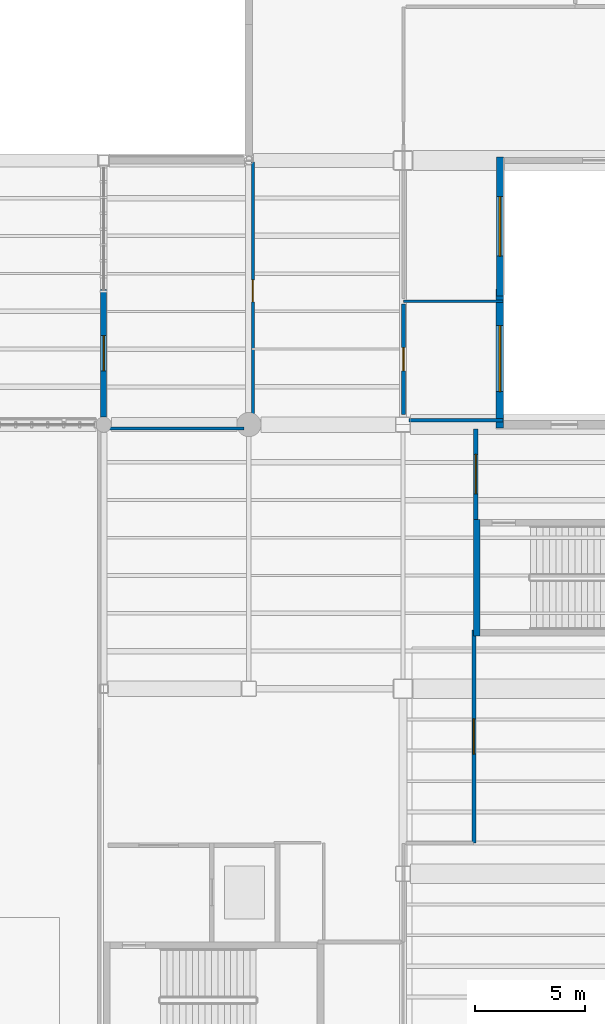
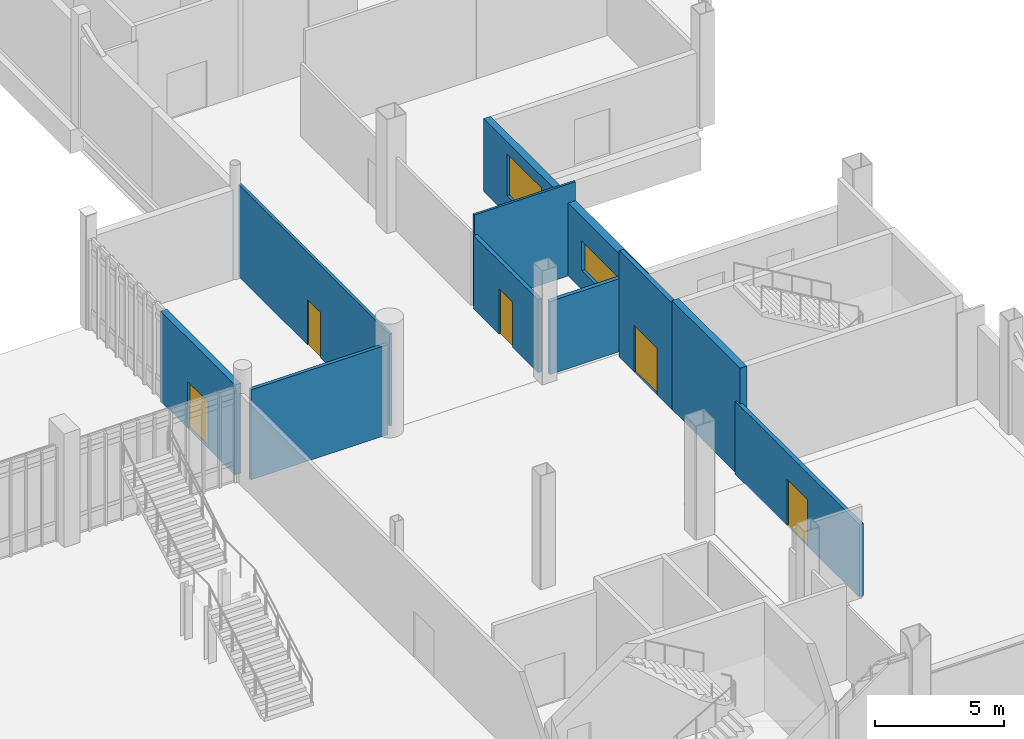
# One storey, part 88 of 111: 11 walls, 5 doors, 2 windows, 7 openings.
"""IFC4 building model written with IfcOpenShell, lengths in metres."""

from ifc_helpers import new_model, si_unit, direction, frame, frame_2d, origin, place, context, subcontext, project, spatial, rectangle, extrude, material, layer, layer_set, type_object, element, fill, save


model = new_model("IFC4")

# Units and contexts
model_context = context("Model", 3, precision=1e-05, world=origin(), true_north=direction((0.0, 1.0)))
body_context = subcontext(model_context, "Body", "Model", "MODEL_VIEW")
ifc_project = project(units=[si_unit("LENGTHUNIT", "METRE"), si_unit("AREAUNIT", "SQUARE_METRE"), si_unit("VOLUMEUNIT", "CUBIC_METRE"), si_unit("PLANEANGLEUNIT", "RADIAN"), si_unit("MASSUNIT", "GRAM", prefix="KILO")], contexts=[model_context])

# Site, building, storey
site_placement = place(None, origin())
site = spatial("IfcSite", under=ifc_project, at=site_placement, CompositionType="ELEMENT")
building_placement = place(site_placement, origin())
building = spatial("IfcBuilding", under=site, at=building_placement, Name="Larkvane Passage Sports Hall", CompositionType="ELEMENT")
storey_placement = place(building_placement, origin())
storey = spatial("IfcBuildingStorey", under=building, at=storey_placement, Name="L00", CompositionType="ELEMENT", Elevation=0.0)

# Wall
ifc_material_1 = material(Name="Concrete C50/60", Category="concrete")
ifc_layer_1 = layer(ifc_material_1, 0.300048828125)
ifc_layer_set_1 = layer_set([ifc_layer_1], Name="Concrete C50/60")
wall_type_1 = type_object("IfcWallType", Name="WL-CORE-300", PredefinedType="SHEAR", material=ifc_layer_set_1)
wall_1_placement = place(storey_placement, frame((134.949951171875, 42.0, 0.0), z_axis=(0.0, 0.0, 1.0), x_axis=(0.0, 1.0, 0.0)))
element("IfcWall", 1, at=wall_1_placement, inside=storey, type_object=wall_type_1, Name="Core shear wall WAL-CORE-C7-L00-W", PredefinedType="SHEAR", context=body_context, shape_type="SweptSolid", body=[
    extrude(rectangle(XDim=5.300048828125, YDim=0.300048828125, at=frame_2d((2.64990234375, 0.0))), origin(), (0.0, 0.0, 1.0), 5.169921875),
])

# Wall, opening, door
ifc_material_2 = material(Name="Concrete C40/50", Category="concrete")
ifc_layer_2 = layer(ifc_material_2, 0.27490234375)
ifc_layer_set_2 = layer_set([ifc_layer_2], Name="Concrete C40/50")
wall_type_2 = type_object("IfcWallType", Name="WL-EXT-275", PredefinedType="SOLIDWALL", material=ifc_layer_set_2)
wall_2_placement = place(storey_placement, frame((118.0, 51.946044921875, 0.0), z_axis=(0.0, 0.0, 1.0), x_axis=(0.0, 1.0, 0.0)))
wall_2 = element("IfcWall", 2, at=wall_2_placement, inside=storey, type_object=wall_type_2, Name="Exterior wall WAL-EXT-L00-031", PredefinedType="SOLIDWALL", context=body_context, shape_type="SweptSolid", body=[
    extrude(rectangle(XDim=5.785888671875, YDim=0.27490234375, at=frame_2d((2.89306640625, 0.0))), origin(), (0.0, 0.0, 1.0), 4.26806640625),
])
opening_1_placement = place(wall_2_placement, frame((2.093017578125, 0.0, 0.0)))
opening_1 = element("IfcOpeningElement", 3, at=opening_1_placement, cuts=wall_2, Name="Opening DE-04", PredefinedType="OPENING", context=body_context, shape_type="SweptSolid", body=[
    extrude(rectangle(XDim=1.60009765625, YDim=2.199951171875, at=frame_2d((0.800048828125, 1.10009765625))), frame((0.0, 0.1474609375, 0.0), z_axis=(0.0, -1.0, 0.0), x_axis=(1.0, 0.0, 0.0)), (0.0, 0.0, 1.0), 0.294921875),
])
ifc_material_3 = material(Name="Galvanised steel S355JR fire exit leaf", Category="steel")
door_type_1 = type_object("IfcDoorType", Name="DR-EXIT-1600", OperationType="DOUBLE_DOOR_SINGLE_SWING", PredefinedType="DOOR", material=ifc_material_3)
door_1_placement = place(opening_1_placement, origin())
door_1 = element("IfcDoor", 4, at=door_1_placement, inside=storey, type_object=door_type_1, Name="Exterior door L00-016", OperationType="DOUBLE_DOOR_SINGLE_SWING", OverallHeight=2.199951171875, OverallWidth=1.60009765625, PredefinedType="DOOR", context=body_context, shape_type="SweptSolid", body=[
    extrude(rectangle(XDim=1.60009765625, YDim=2.199951171875, at=frame_2d((0.800048828125, 1.10009765625))), frame((0.0, 0.02490234375, 0.0), z_axis=(0.0, -1.0, 0.0), x_axis=(1.0, 0.0, 0.0)), (0.0, 0.0, 1.0), 0.050048828125),
])
fill(opening_1, door_1)

# Wall, opening, window
ifc_material_4 = material(Name="Precast concrete C45/55", Category="concrete")
ifc_layer_3 = layer(ifc_material_4, 0.31005859375)
ifc_layer_set_3 = layer_set([ifc_layer_3], Name="Precast concrete C45/55")
wall_type_3 = type_object("IfcWallType", Name="WL-EXT-310", PredefinedType="SOLIDWALL", material=ifc_layer_set_3)
wall_3_placement = place(storey_placement, frame((136.0, 63.748779296875, 0.0), z_axis=(0.0, 0.0, 1.0), x_axis=(0.0, -1.0, 0.0)))
wall_3 = element("IfcWall", 5, at=wall_3_placement, inside=storey, type_object=wall_type_3, Name="Exterior wall WAL-EXT-L00-044", PredefinedType="SOLIDWALL", context=body_context, shape_type="SweptSolid", body=[
    extrude(rectangle(XDim=6.297607421875, YDim=0.31005859375, at=frame_2d((3.14892578125, 0.0))), origin(), (0.0, 0.0, 1.0), 3.468017578125),
])
opening_2_placement = place(wall_3_placement, frame((1.799072265625, 0.0, 0.89990234375)))
opening_2 = element("IfcOpeningElement", 6, at=opening_2_placement, cuts=wall_3, Name="Opening W-05", PredefinedType="OPENING", context=body_context, shape_type="SweptSolid", body=[
    extrude(rectangle(XDim=2.699951171875, YDim=2.0, at=frame_2d((1.35009765625, 1.0))), frame((0.0, 0.1650390625, 0.0), z_axis=(0.0, -1.0, 0.0), x_axis=(1.0, 0.0, 0.0)), (0.0, 0.0, 1.0), 0.330078125),
])
ifc_material_5 = material(Name="Thermally broken aluminium and laminated low-E glass", Category="aluminium")
window_type_1 = type_object("IfcWindowType", Name="WN-FIX-2700x2000", PartitioningType="TRIPLE_PANEL_VERTICAL", PredefinedType="WINDOW", material=ifc_material_5)
window_1_placement = place(opening_2_placement, origin())
window_1 = element("IfcWindow", 7, at=window_1_placement, inside=storey, type_object=window_type_1, Name="Window L00-003", OverallHeight=2.0, OverallWidth=2.699951171875, PartitioningType="TRIPLE_PANEL_VERTICAL", PredefinedType="WINDOW", context=body_context, shape_type="SweptSolid", body=[
    extrude(rectangle(XDim=2.699951171875, YDim=2.0, at=frame_2d((1.35009765625, 1.0))), frame((0.0, 0.030029296875, 0.0), z_axis=(0.0, -1.0, 0.0), x_axis=(1.0, 0.0, 0.0)), (0.0, 0.0, 1.0), 0.06005859375),
])
fill(opening_2, window_1)

ifc_layer_4 = layer(ifc_material_4, 0.344970703125)
ifc_layer_set_4 = layer_set([ifc_layer_4], Name="Precast concrete C45/55")
wall_type_4 = type_object("IfcWallType", Name="WL-EXT-345", PredefinedType="SOLIDWALL", material=ifc_layer_set_4)
wall_4_placement = place(storey_placement, frame((136.0, 57.765625, 0.0), z_axis=(0.0, 0.0, 1.0), x_axis=(0.0, -1.0, 0.0)))
wall_4 = element("IfcWall", 8, at=wall_4_placement, inside=storey, type_object=wall_type_4, Name="Exterior wall WAL-EXT-L00-045", PredefinedType="SOLIDWALL", context=body_context, shape_type="SweptSolid", body=[
    extrude(rectangle(XDim=6.331298828125, YDim=0.344970703125, at=frame_2d((3.16552734375, 0.0))), origin(), (0.0, 0.0, 1.0), 3.468017578125),
])
opening_3_placement = place(wall_4_placement, frame((1.666015625, 0.0, 0.89990234375)))
opening_3 = element("IfcOpeningElement", 9, at=opening_3_placement, cuts=wall_4, Name="Opening W-06", PredefinedType="OPENING", context=body_context, shape_type="SweptSolid", body=[
    extrude(rectangle(XDim=3.0, YDim=1.39990234375, at=frame_2d((1.5, 0.699951171875))), frame((0.0, 0.182373046875, 0.0), z_axis=(0.0, -1.0, 0.0), x_axis=(1.0, 0.0, 0.0)), (0.0, 0.0, 1.0), 0.364990234375),
])
window_type_2 = type_object("IfcWindowType", Name="WN-FIX-3000x1400", PartitioningType="TRIPLE_PANEL_VERTICAL", PredefinedType="WINDOW", material=ifc_material_5)
window_2_placement = place(opening_3_placement, origin())
window_2 = element("IfcWindow", 10, at=window_2_placement, inside=storey, type_object=window_type_2, Name="Window L00-004", OverallHeight=1.39990234375, OverallWidth=3.0, PartitioningType="TRIPLE_PANEL_VERTICAL", PredefinedType="WINDOW", context=body_context, shape_type="SweptSolid", body=[
    extrude(rectangle(XDim=3.0, YDim=1.39990234375, at=frame_2d((1.5, 0.699951171875))), frame((0.0, 0.030029296875, 0.0), z_axis=(0.0, -1.0, 0.0), x_axis=(1.0, 0.0, 0.0)), (0.0, 0.0, 1.0), 0.06005859375),
])
fill(opening_3, window_2)

# Wall, opening, door
ifc_layer_5 = layer(ifc_material_2, 0.199951171875)
ifc_layer_set_5 = layer_set([ifc_layer_5], Name="Concrete C40/50")
wall_type_5 = type_object("IfcWallType", Name="WL-LOBBY-200", PredefinedType="SOLIDWALL", material=ifc_layer_set_5)
wall_5_placement = place(storey_placement, frame((134.89990234375, 47.300048828125, 0.0), z_axis=(0.0, 0.0, 1.0), x_axis=(0.0, 1.0, 0.0)))
wall_5 = element("IfcWall", 11, at=wall_5_placement, inside=storey, type_object=wall_type_5, Name="Protected stair lobby wall C7 L00", PredefinedType="SOLIDWALL", context=body_context, shape_type="SweptSolid", body=[
    extrude(rectangle(XDim=4.099853515625, YDim=0.199951171875, at=frame_2d((2.0498046875, 0.0))), origin(), (0.0, 0.0, 1.0), 5.050048828125),
])
opening_4_placement = place(wall_5_placement, frame((1.14990234375, 0.0, 0.0)))
opening_4 = element("IfcOpeningElement", 12, at=opening_4_placement, cuts=wall_5, Name="Opening DF-02", PredefinedType="OPENING", context=body_context, shape_type="SweptSolid", body=[
    extrude(rectangle(XDim=1.800048828125, YDim=2.199951171875, at=frame_2d((0.89990234375, 1.10009765625))), frame((0.0, 0.10986328125, 0.0), z_axis=(0.0, -1.0, 0.0), x_axis=(1.0, 0.0, 0.0)), (0.0, 0.0, 1.0), 0.219970703125),
])
ifc_material_6 = material(Name="Steel S355JR double smoke-sealed fire door", Category="steel")
door_type_2 = type_object("IfcDoorType", Name="DR-FIRE-1800", OperationType="DOUBLE_DOOR_SINGLE_SWING", PredefinedType="DOOR", material=ifc_material_6)
door_2_placement = place(opening_4_placement, origin())
door_2 = element("IfcDoor", 13, at=door_2_placement, inside=storey, type_object=door_type_2, Name="Lobby smoke door C7 L00", OperationType="DOUBLE_DOOR_SINGLE_SWING", OverallHeight=2.199951171875, OverallWidth=1.800048828125, PredefinedType="DOOR", context=body_context, shape_type="SweptSolid", body=[
    extrude(rectangle(XDim=1.800048828125, YDim=2.199951171875, at=frame_2d((0.89990234375, 1.10009765625))), frame((0.0, 0.02490234375, 0.0), z_axis=(0.0, -1.0, 0.0), x_axis=(1.0, 0.0, 0.0)), (0.0, 0.0, 1.0), 0.050048828125),
])
fill(opening_4, door_2)

# Wall
ifc_material_7 = material(Name="Gypsum twin-stud acoustic partition")
ifc_layer_6 = layer(ifc_material_7, 0.10009765625)
ifc_layer_set_6 = layer_set([ifc_layer_6], Name="Gypsum twin-stud acoustic partition")
wall_type_6 = type_object("IfcWallType", Name="WL-PART-100", PredefinedType="PARTITIONING", material=ifc_layer_set_6)
wall_6_placement = place(storey_placement, frame((136.151611328125, 57.199951171875, 0.0), z_axis=(0.0, 0.0, 1.0), x_axis=(-1.0, 0.0, 0.0)))
element("IfcWall", 14, at=wall_6_placement, inside=storey, type_object=wall_type_6, Name="Interior partition WAL-PART-L00-0080", PredefinedType="PARTITIONING", context=body_context, shape_type="SweptSolid", body=[
    extrude(rectangle(XDim=4.531494140625, YDim=0.10009765625, at=frame_2d((2.265625, 0.0))), origin(), (0.0, 0.0, 1.0), 4.3701171875),
])

# Wall, opening, door
ifc_material_8 = material(Name="Gypsum twin-stud fire-rated partition")
ifc_layer_7 = layer(ifc_material_8, 0.125)
ifc_layer_set_7 = layer_set([ifc_layer_7], Name="Gypsum twin-stud fire-rated partition")
wall_type_7 = type_object("IfcWallType", Name="WL-PART-125", PredefinedType="PARTITIONING", material=ifc_layer_set_7)
wall_7_placement = place(storey_placement, frame((124.780029296875, 63.531982421875, 0.0), z_axis=(0.0, 0.0, 1.0), x_axis=(0.0, -1.0, 0.0)))
wall_7 = element("IfcWall", 15, at=wall_7_placement, inside=storey, type_object=wall_type_7, Name="Interior partition WAL-PART-L00-0077", PredefinedType="PARTITIONING", context=body_context, shape_type="SweptSolid", body=[
    extrude(rectangle(XDim=11.716064453125, YDim=0.125, at=frame_2d((5.85791015625, 0.0))), origin(), (0.0, 0.0, 1.0), 4.3701171875),
])
opening_5_placement = place(wall_7_placement, frame((5.35791015625, 0.0, 0.0)))
opening_5 = element("IfcOpeningElement", 16, at=opening_5_placement, cuts=wall_7, Name="Opening DI-01", PredefinedType="OPENING", context=body_context, shape_type="SweptSolid", body=[
    extrude(rectangle(XDim=1.0, YDim=2.14990234375, at=frame_2d((0.5, 1.074951171875))), frame((0.0, 0.072509765625, 0.0), z_axis=(0.0, -1.0, 0.0), x_axis=(1.0, 0.0, 0.0)), (0.0, 0.0, 1.0), 0.14501953125),
])
ifc_material_9 = material(Name="Solid-core hardwood acoustic door", Category="wood")
door_type_3 = type_object("IfcDoorType", Name="DR-INT-1000", OperationType="NOTDEFINED", PredefinedType="DOOR", material=ifc_material_9)
door_3_placement = place(opening_5_placement, origin())
door_3 = element("IfcDoor", 17, at=door_3_placement, inside=storey, type_object=door_type_3, Name="Interior door L00-0027", OperationType="SINGLE_SWING_LEFT", OverallHeight=2.14990234375, OverallWidth=1.0, PredefinedType="DOOR", context=body_context, shape_type="SweptSolid", body=[
    extrude(rectangle(XDim=1.0, YDim=2.14990234375, at=frame_2d((0.5, 1.074951171875))), frame((0.0, 0.02490234375, 0.0), z_axis=(0.0, -1.0, 0.0), x_axis=(1.0, 0.0, 0.0)), (0.0, 0.0, 1.0), 0.050048828125),
])
fill(opening_5, door_3)

# Wall
ifc_material_10 = material(Name="Gypsum acoustic partition")
ifc_layer_8 = layer(ifc_material_10, 0.14990234375)
ifc_layer_set_8 = layer_set([ifc_layer_8], Name="Gypsum acoustic partition")
wall_type_8 = type_object("IfcWallType", Name="WL-PART-150", PredefinedType="PARTITIONING", material=ifc_layer_set_8)
wall_8_placement = place(storey_placement, frame((124.384033203125, 51.419921875, 0.0), z_axis=(0.0, 0.0, 1.0), x_axis=(-1.0, 0.0, 0.0)))
element("IfcWall", 18, at=wall_8_placement, inside=storey, type_object=wall_type_8, Name="Interior partition WAL-PART-L00-0078", PredefinedType="PARTITIONING", context=body_context, shape_type="SweptSolid", body=[
    extrude(rectangle(XDim=6.152099609375, YDim=0.14990234375, at=frame_2d((3.076171875, 0.0))), origin(), (0.0, 0.0, 1.0), 4.278076171875),
])

# Wall, opening, door
ifc_material_11 = material(Name="Gypsum high-bay court partition")
ifc_layer_9 = layer(ifc_material_11, 0.179931640625)
ifc_layer_set_9 = layer_set([ifc_layer_9], Name="Gypsum high-bay court partition")
wall_type_9 = type_object("IfcWallType", Name="WL-PART-180", PredefinedType="PARTITIONING", material=ifc_layer_set_9)
wall_9_placement = place(storey_placement, frame((134.820068359375, 32.60009765625, 0.0), z_axis=(0.0, 0.0, 1.0), x_axis=(0.0, 1.0, 0.0)))
wall_9 = element("IfcWall", 19, at=wall_9_placement, inside=storey, type_object=wall_type_9, Name="Interior partition WAL-PART-L00-0075", PredefinedType="PARTITIONING", context=body_context, shape_type="SweptSolid", body=[
    extrude(rectangle(XDim=9.659912109375, YDim=0.179931640625, at=frame_2d((4.830078125, 0.0))), origin(), (0.0, 0.0, 1.0), 3.469970703125),
])
opening_6_placement = place(wall_9_placement, frame((4.030029296875, 0.0, 0.0)))
opening_6 = element("IfcOpeningElement", 20, at=opening_6_placement, cuts=wall_9, Name="Opening DI-03", PredefinedType="OPENING", context=body_context, shape_type="SweptSolid", body=[
    extrude(rectangle(XDim=1.60009765625, YDim=2.199951171875, at=frame_2d((0.800048828125, 1.10009765625))), frame((0.0, 0.099853515625, 0.0), z_axis=(0.0, -1.0, 0.0), x_axis=(1.0, 0.0, 0.0)), (0.0, 0.0, 1.0), 0.199951171875),
])
ifc_material_12 = material(Name="Glazed aluminium studio double door", Category="aluminium")
door_type_4 = type_object("IfcDoorType", Name="DR-INT-1600", OperationType="DOUBLE_DOOR_SINGLE_SWING", PredefinedType="DOOR", material=ifc_material_12)
door_4_placement = place(opening_6_placement, origin())
door_4 = element("IfcDoor", 21, at=door_4_placement, inside=storey, type_object=door_type_4, Name="Interior door L00-0028", OperationType="DOUBLE_DOOR_SINGLE_SWING", OverallHeight=2.199951171875, OverallWidth=1.60009765625, PredefinedType="DOOR", context=body_context, shape_type="SweptSolid", body=[
    extrude(rectangle(XDim=1.60009765625, YDim=2.199951171875, at=frame_2d((0.800048828125, 1.10009765625))), frame((0.0, 0.02490234375, 0.0), z_axis=(0.0, -1.0, 0.0), x_axis=(1.0, 0.0, 0.0)), (0.0, 0.0, 1.0), 0.050048828125),
])
fill(opening_6, door_4)

# Wall
ifc_material_13 = material(Name="Moisture-resistant shaftliner partition")
ifc_layer_10 = layer(ifc_material_13, 0.175048828125)
ifc_layer_set_10 = layer_set([ifc_layer_10], Name="Moisture-resistant shaftliner partition")
wall_type_10 = type_object("IfcWallType", Name="WL-PLUMB-175", PredefinedType="PLUMBINGWALL", material=ifc_layer_set_10)
wall_10_placement = place(storey_placement, frame((136.151611328125, 51.800048828125, 0.0), z_axis=(0.0, 0.0, 1.0), x_axis=(-1.0, 0.0, 0.0)))
element("IfcWall", 22, at=wall_10_placement, inside=storey, type_object=wall_type_10, Name="Interior partition WAL-PART-L00-0091", PredefinedType="PLUMBINGWALL", context=body_context, shape_type="SweptSolid", body=[
    extrude(rectangle(XDim=4.279541015625, YDim=0.175048828125, at=frame_2d((2.1396484375, 0.0))), origin(), (0.0, 0.0, 1.0), 3.469970703125),
])

# Wall, opening, door
wall_11_placement = place(storey_placement, frame((131.6201171875, 52.052001953125, 0.0), z_axis=(0.0, 0.0, 1.0), x_axis=(0.0, 1.0, 0.0)))
wall_11 = element("IfcWall", 23, at=wall_11_placement, inside=storey, type_object=wall_type_10, Name="Interior partition WAL-PART-L00-0092", PredefinedType="PLUMBINGWALL", context=body_context, shape_type="SweptSolid", body=[
    extrude(rectangle(XDim=5.028076171875, YDim=0.175048828125, at=frame_2d((2.51416015625, 0.0))), origin(), (0.0, 0.0, 1.0), 3.469970703125),
])
opening_7_placement = place(wall_11_placement, frame((1.989013671875, 0.0, 0.0)))
opening_7 = element("IfcOpeningElement", 24, at=opening_7_placement, cuts=wall_11, Name="Opening DI-04", PredefinedType="OPENING", context=body_context, shape_type="SweptSolid", body=[
    extrude(rectangle(XDim=1.050048828125, YDim=2.14990234375, at=frame_2d((0.52490234375, 1.074951171875))), frame((0.0, 0.097412109375, 0.0), z_axis=(0.0, -1.0, 0.0), x_axis=(1.0, 0.0, 0.0)), (0.0, 0.0, 1.0), 0.195068359375),
])
ifc_material_14 = material(Name="Accessible wide-leaf sanitary door")
door_type_5 = type_object("IfcDoorType", Name="DR-ACC-1050", OperationType="NOTDEFINED", PredefinedType="DOOR", material=ifc_material_14)
door_5_placement = place(opening_7_placement, origin())
door_5 = element("IfcDoor", 25, at=door_5_placement, inside=storey, type_object=door_type_5, Name="Interior door L00-0033", OperationType="SINGLE_SWING_RIGHT", OverallHeight=2.14990234375, OverallWidth=1.050048828125, PredefinedType="DOOR", context=body_context, shape_type="SweptSolid", body=[
    extrude(rectangle(XDim=1.050048828125, YDim=2.14990234375, at=frame_2d((0.52490234375, 1.074951171875))), frame((0.0, 0.02490234375, 0.0), z_axis=(0.0, -1.0, 0.0), x_axis=(1.0, 0.0, 0.0)), (0.0, 0.0, 1.0), 0.050048828125),
])
fill(opening_7, door_5)

save(model, "model.ifc")
